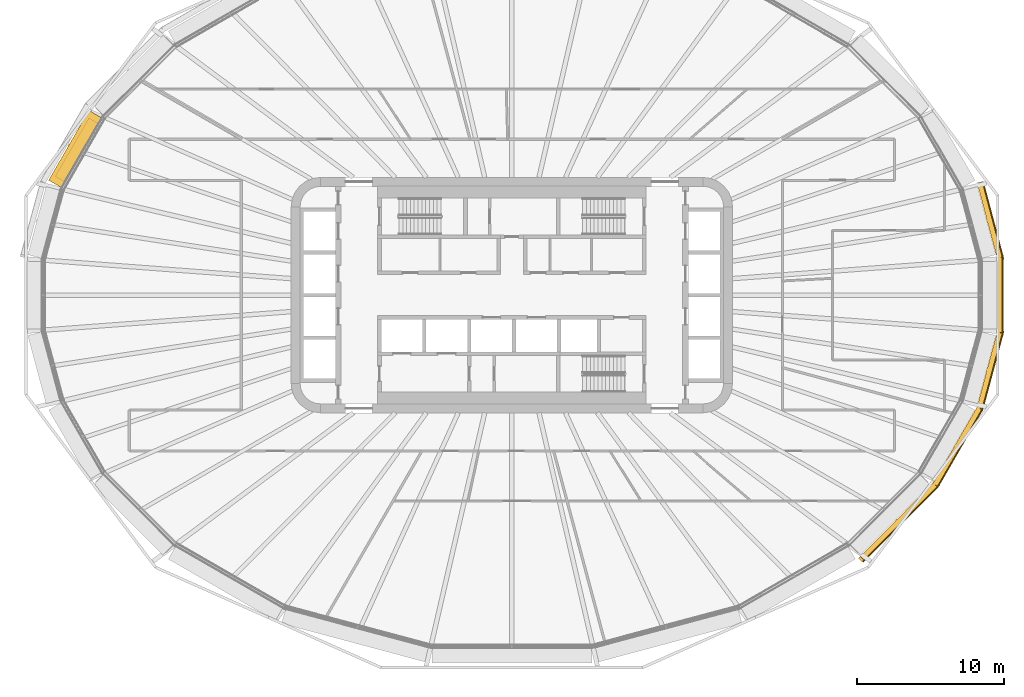
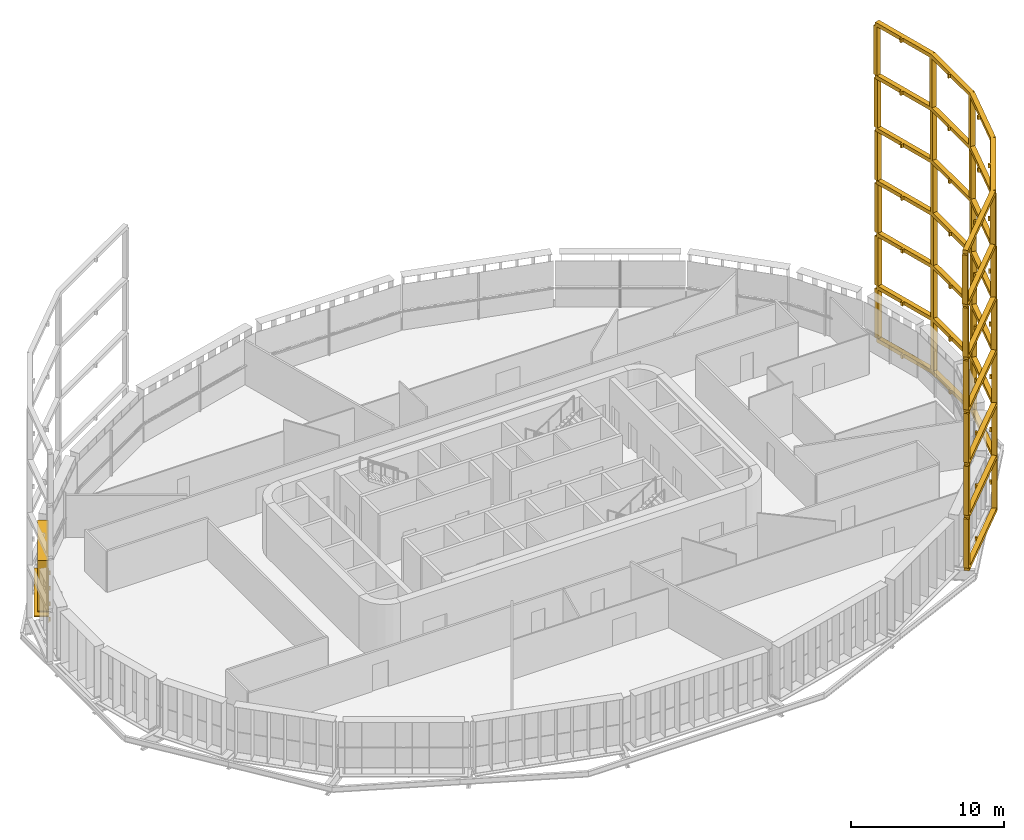
# One storey, part 24 of 26: 3 shading devices.
"""IFC4 building model written with IfcOpenShell, lengths in metres."""

from ifc_helpers import new_model, si_unit, direction, frame, origin, origin_2d, place, context, subcontext, project, spatial, polyline, rectangle, outline, extrude, material, type_object, element, save


model = new_model("IFC4")

# Units and contexts
model_context = context("Model", 3, precision=1e-05, world=origin(), true_north=direction((0.0, 1.0)))
body_context = subcontext(model_context, "Body", "Model", "MODEL_VIEW")
ifc_project = project(units=[si_unit("LENGTHUNIT", "METRE"), si_unit("AREAUNIT", "SQUARE_METRE"), si_unit("VOLUMEUNIT", "CUBIC_METRE"), si_unit("PLANEANGLEUNIT", "RADIAN"), si_unit("MASSUNIT", "GRAM", prefix="KILO")], contexts=[model_context])

# Site, building, storey
site_placement = place(None, origin())
site = spatial("IfcSite", under=ifc_project, at=site_placement, CompositionType="ELEMENT")
building_placement = place(site_placement, origin())
building = spatial("IfcBuilding", under=site, at=building_placement, Name="Sahrelin Media Tower", CompositionType="ELEMENT")
storey_placement = place(building_placement, frame((0.0, 0.0, 102.0)))
storey = spatial("IfcBuildingStorey", under=building, at=storey_placement, Name="L19", CompositionType="ELEMENT", Elevation=102.0)

# Shading devices
ifc_material_1 = material(Name="Dark bronze anodised aluminium 6063-T6", Category="aluminium")
shading_device_type_1 = type_object("IfcShadingDeviceType", Name="Deep frame", PredefinedType="USERDEFINED", material=ifc_material_1)
shading_device_1_placement = place(storey_placement, frame((22.931396484375, -17.01025390625, 0.0), z_axis=(0.0, 0.0, 1.0), x_axis=(-0.707106781187, -0.707106781187, 0.0)))
element("IfcShadingDevice", 1, at=shading_device_1_placement, inside=storey, type_object=shading_device_type_1, Name="L19:FRAME:F2-5", ObjectType="FRAME", PredefinedType="USERDEFINED", context=body_context, shape_type="SweptSolid", body=[
    extrude(rectangle(XDim=0.300048828125, YDim=0.35009765625, at=origin_2d()), frame((0.0, 1.324951171875, 0.14990234375), z_axis=(0.0, 0.0, 1.0), x_axis=(-1.0, 0.0, 0.0)), (0.0, 0.0, 1.0), 3.900146484375),
    extrude(rectangle(XDim=0.300048828125, YDim=0.35009765625, at=origin_2d()), frame((-7.07421875, 1.313720703125, 0.14990234375), z_axis=(0.0, 0.0, 1.0), x_axis=(-0.991436202368, -0.130591947046, 0.0)), (0.0, 0.0, 1.0), 3.900146484375),
    extrude(rectangle(XDim=0.300048828125, YDim=0.35009765625, at=origin_2d()), frame((-12.89599609375, -0.24609375, 0.14990234375), z_axis=(0.0, 0.0, 1.0), x_axis=(-0.923876860854, -0.382689882252, 0.0)), (0.0, 0.0, 1.0), 3.900146484375),
    extrude(rectangle(XDim=0.300048828125, YDim=0.35009765625, at=origin_2d()), frame((-17.519775390625, -2.915771484375, 0.14990234375), z_axis=(0.0, 0.0, 1.0), x_axis=(-0.793315089117, -0.608811275668, 0.0)), (0.0, 0.0, 1.0), 3.900146484375),
    extrude(rectangle(XDim=0.300048828125, YDim=0.35009765625, at=origin_2d()), frame((-21.140380859375, -6.536376953125, 0.14990234375), z_axis=(0.0, 0.0, 1.0), x_axis=(-0.608700502051, -0.793400087474, 0.0)), (0.0, 0.0, 1.0), 3.900146484375),
    extrude(rectangle(XDim=0.300048828125, YDim=0.35009765625, at=origin_2d()), frame((-23.7333984375, -11.0048828125, 0.14990234375), z_axis=(0.0, 0.0, 1.0), x_axis=(-0.500010580459, -0.866019295067, 0.0)), (0.0, 0.0, 1.0), 3.900146484375),
    extrude(outline(polyline([(-7.07470703125, 1.48876953125), (-7.07421875, 1.313720703125), (-7.11962890625, 1.482666015625), (-12.94140625, -0.0771484375), (-12.89599609375, -0.24609375), (-12.9833984375, -0.0947265625), (-17.607421875, -2.764404296875), (-17.519775390625, -2.915771484375), (-17.6435546875, -2.7919921875), (-21.26416015625, -6.41259765625), (-21.140380859375, -6.536376953125), (-21.291748046875, -6.448486328125), (-23.884765625, -10.9169921875), (-23.58203125, -11.092529296875), (-22.3662109375, -8.997802734375), (-22.215087890625, -9.085205078125), (-22.14013671875, -8.955078125), (-22.291015625, -8.867919921875), (-21.00048828125, -6.64404296875), (-19.259521484375, -4.90283203125), (-19.14013671875, -5.022216796875), (-19.033935546875, -4.916015625), (-19.1533203125, -4.796875), (-17.412353515625, -3.055908203125), (-15.185302734375, -1.77001953125), (-15.10107421875, -1.916015625), (-14.97119140625, -1.841064453125), (-15.055419921875, -1.695068359375), (-12.828369140625, -0.4091796875), (-10.01220703125, 0.34521484375), (-9.968505859375, 0.182373046875), (-9.82373046875, 0.22119140625), (-9.867431640625, 0.384033203125), (-7.051025390625, 1.138671875), (-3.525634765625, 1.144287109375), (-3.525634765625, 0.969970703125), (-3.375732421875, 0.969970703125), (-3.375732421875, 1.14453125), (0.000244140625, 1.14990234375), (-0.000244140625, 1.5), (-7.07470703125, 1.48876953125)])), frame((0.0, 0.0, -0.14990234375)), (0.0, 0.0, 1.0), 0.2998046875),
    extrude(rectangle(XDim=0.300048828125, YDim=0.35009765625, at=origin_2d()), frame((0.0, 1.324951171875, 4.35009765625), z_axis=(0.0, 0.0, 1.0), x_axis=(-1.0, 0.0, 0.0)), (0.0, 0.0, 1.0), 3.89990234375),
    extrude(rectangle(XDim=0.300048828125, YDim=0.35009765625, at=origin_2d()), frame((-7.07421875, 1.313720703125, 4.35009765625), z_axis=(0.0, 0.0, 1.0), x_axis=(-0.991436202368, -0.130591947046, 0.0)), (0.0, 0.0, 1.0), 3.89990234375),
    extrude(rectangle(XDim=0.300048828125, YDim=0.35009765625, at=origin_2d()), frame((-12.89599609375, -0.24609375, 4.35009765625), z_axis=(0.0, 0.0, 1.0), x_axis=(-0.923876860854, -0.382689882252, 0.0)), (0.0, 0.0, 1.0), 3.89990234375),
    extrude(rectangle(XDim=0.300048828125, YDim=0.35009765625, at=origin_2d()), frame((-17.519775390625, -2.915771484375, 4.35009765625), z_axis=(0.0, 0.0, 1.0), x_axis=(-0.793315089117, -0.608811275668, 0.0)), (0.0, 0.0, 1.0), 3.89990234375),
    extrude(rectangle(XDim=0.300048828125, YDim=0.35009765625, at=origin_2d()), frame((-21.140380859375, -6.536376953125, 4.35009765625), z_axis=(0.0, 0.0, 1.0), x_axis=(-0.608700502051, -0.793400087474, 0.0)), (0.0, 0.0, 1.0), 3.89990234375),
    extrude(rectangle(XDim=0.300048828125, YDim=0.35009765625, at=origin_2d()), frame((-23.7333984375, -11.0048828125, 4.35009765625), z_axis=(0.0, 0.0, 1.0), x_axis=(-0.500010580459, -0.866019295067, 0.0)), (0.0, 0.0, 1.0), 3.89990234375),
    extrude(outline(polyline([(-7.07470703125, 1.48876953125), (-7.07421875, 1.313720703125), (-7.11962890625, 1.482666015625), (-12.94140625, -0.0771484375), (-12.89599609375, -0.24609375), (-12.9833984375, -0.0947265625), (-17.607421875, -2.764404296875), (-17.519775390625, -2.915771484375), (-17.6435546875, -2.7919921875), (-21.26416015625, -6.41259765625), (-21.140380859375, -6.536376953125), (-21.291748046875, -6.448486328125), (-23.884765625, -10.9169921875), (-23.58203125, -11.092529296875), (-22.3662109375, -8.997802734375), (-22.215087890625, -9.085205078125), (-22.14013671875, -8.955078125), (-22.291015625, -8.867919921875), (-21.00048828125, -6.64404296875), (-19.259521484375, -4.90283203125), (-19.14013671875, -5.022216796875), (-19.033935546875, -4.916015625), (-19.1533203125, -4.796875), (-17.412353515625, -3.055908203125), (-15.185302734375, -1.77001953125), (-15.10107421875, -1.916015625), (-14.97119140625, -1.841064453125), (-15.055419921875, -1.695068359375), (-12.828369140625, -0.4091796875), (-10.01220703125, 0.34521484375), (-9.968505859375, 0.182373046875), (-9.82373046875, 0.22119140625), (-9.867431640625, 0.384033203125), (-7.051025390625, 1.138671875), (-3.525634765625, 1.144287109375), (-3.525634765625, 0.969970703125), (-3.375732421875, 0.969970703125), (-3.375732421875, 1.14453125), (0.000244140625, 1.14990234375), (-0.000244140625, 1.5), (-7.07470703125, 1.48876953125)])), frame((0.0, 0.0, 4.050048828125)), (0.0, 0.0, 1.0), 0.300048828125),
    extrude(rectangle(XDim=0.300048828125, YDim=0.35009765625, at=origin_2d()), frame((0.0, 1.324951171875, 8.550048828125), z_axis=(0.0, 0.0, 1.0), x_axis=(-1.0, 0.0, 0.0)), (0.0, 0.0, 1.0), 3.89990234375),
    extrude(rectangle(XDim=0.300048828125, YDim=0.35009765625, at=origin_2d()), frame((-7.07421875, 1.313720703125, 8.550048828125), z_axis=(0.0, 0.0, 1.0), x_axis=(-0.991436202368, -0.130591947046, 0.0)), (0.0, 0.0, 1.0), 3.89990234375),
    extrude(rectangle(XDim=0.300048828125, YDim=0.35009765625, at=origin_2d()), frame((-12.89599609375, -0.24609375, 8.550048828125), z_axis=(0.0, 0.0, 1.0), x_axis=(-0.923876860854, -0.382689882252, 0.0)), (0.0, 0.0, 1.0), 3.89990234375),
    extrude(rectangle(XDim=0.300048828125, YDim=0.35009765625, at=origin_2d()), frame((-17.519775390625, -2.915771484375, 8.550048828125), z_axis=(0.0, 0.0, 1.0), x_axis=(-0.793315089117, -0.608811275668, 0.0)), (0.0, 0.0, 1.0), 3.89990234375),
    extrude(rectangle(XDim=0.300048828125, YDim=0.35009765625, at=origin_2d()), frame((-21.140380859375, -6.536376953125, 8.550048828125), z_axis=(0.0, 0.0, 1.0), x_axis=(-0.608700502051, -0.793400087474, 0.0)), (0.0, 0.0, 1.0), 3.89990234375),
    extrude(rectangle(XDim=0.300048828125, YDim=0.35009765625, at=origin_2d()), frame((-23.7333984375, -11.0048828125, 8.550048828125), z_axis=(0.0, 0.0, 1.0), x_axis=(-0.500010580459, -0.866019295067, 0.0)), (0.0, 0.0, 1.0), 3.89990234375),
    extrude(outline(polyline([(-7.07470703125, 1.48876953125), (-7.07421875, 1.313720703125), (-7.11962890625, 1.482666015625), (-12.94140625, -0.0771484375), (-12.89599609375, -0.24609375), (-12.9833984375, -0.0947265625), (-17.607421875, -2.764404296875), (-17.519775390625, -2.915771484375), (-17.6435546875, -2.7919921875), (-21.26416015625, -6.41259765625), (-21.140380859375, -6.536376953125), (-21.291748046875, -6.448486328125), (-23.884765625, -10.9169921875), (-23.58203125, -11.092529296875), (-22.3662109375, -8.997802734375), (-22.215087890625, -9.085205078125), (-22.14013671875, -8.955078125), (-22.291015625, -8.867919921875), (-21.00048828125, -6.64404296875), (-19.259521484375, -4.90283203125), (-19.14013671875, -5.022216796875), (-19.033935546875, -4.916015625), (-19.1533203125, -4.796875), (-17.412353515625, -3.055908203125), (-15.185302734375, -1.77001953125), (-15.10107421875, -1.916015625), (-14.97119140625, -1.841064453125), (-15.055419921875, -1.695068359375), (-12.828369140625, -0.4091796875), (-10.01220703125, 0.34521484375), (-9.968505859375, 0.182373046875), (-9.82373046875, 0.22119140625), (-9.867431640625, 0.384033203125), (-7.051025390625, 1.138671875), (-3.525634765625, 1.144287109375), (-3.525634765625, 0.969970703125), (-3.375732421875, 0.969970703125), (-3.375732421875, 1.14453125), (0.000244140625, 1.14990234375), (-0.000244140625, 1.5), (-7.07470703125, 1.48876953125)])), frame((0.0, 0.0, 8.25)), (0.0, 0.0, 1.0), 0.300048828125),
    extrude(rectangle(XDim=0.300048828125, YDim=0.35009765625, at=origin_2d()), frame((0.003173828125, 1.299560546875, 12.75), z_axis=(0.0, 0.0, 1.0), x_axis=(-1.0, 0.0, 0.0)), (0.0, 0.0, 1.0), 3.89990234375),
    extrude(rectangle(XDim=0.300048828125, YDim=0.35009765625, at=origin_2d()), frame((-7.064697265625, 1.2880859375, 12.75), z_axis=(0.0, 0.0, 1.0), x_axis=(-0.991449189241, -0.130493314592, 0.0)), (0.0, 0.0, 1.0), 3.89990234375),
    extrude(rectangle(XDim=0.300048828125, YDim=0.35009765625, at=origin_2d()), frame((-12.88134765625, -0.2705078125, 12.75), z_axis=(0.0, 0.0, 1.0), x_axis=(-0.923876860854, -0.382689882252, 0.0)), (0.0, 0.0, 1.0), 3.89990234375),
    extrude(rectangle(XDim=0.300048828125, YDim=0.35009765625, at=origin_2d()), frame((-17.501220703125, -2.9375, 12.75), z_axis=(0.0, 0.0, 1.0), x_axis=(-0.793315089117, -0.608811275668, 0.0)), (0.0, 0.0, 1.0), 3.89990234375),
    extrude(rectangle(XDim=0.300048828125, YDim=0.35009765625, at=origin_2d()), frame((-21.11865234375, -6.554931640625, 12.75), z_axis=(0.0, 0.0, 1.0), x_axis=(-0.608700502051, -0.793400087474, 0.0)), (0.0, 0.0, 1.0), 3.89990234375),
    extrude(rectangle(XDim=0.300048828125, YDim=0.35009765625, at=origin_2d()), frame((-23.709228515625, -11.019287109375, 12.75), z_axis=(0.0, 0.0, 1.0), x_axis=(-0.499892679699, -0.866087356323, 0.0)), (0.0, 0.0, 1.0), 3.89990234375),
    extrude(outline(polyline([(-7.065185546875, 1.463134765625), (-7.064697265625, 1.2880859375), (-7.110107421875, 1.457275390625), (-12.9267578125, -0.101318359375), (-12.88134765625, -0.2705078125), (-12.968994140625, -0.118896484375), (-17.588623046875, -2.785888671875), (-17.501220703125, -2.9375), (-17.625, -2.813720703125), (-21.242431640625, -6.431396484375), (-21.11865234375, -6.554931640625), (-21.27001953125, -6.46728515625), (-23.860595703125, -10.931396484375), (-23.557861328125, -11.107177734375), (-22.343505859375, -9.014404296875), (-22.192138671875, -9.101806640625), (-22.1171875, -8.9716796875), (-22.26806640625, -8.884521484375), (-20.978759765625, -6.66259765625), (-19.2392578125, -4.923095703125), (-19.1201171875, -5.042236328125), (-19.013916015625, -4.936279296875), (-19.13330078125, -4.81689453125), (-17.393798828125, -3.07763671875), (-15.168701171875, -1.79296875), (-15.08447265625, -1.939208984375), (-14.95458984375, -1.864013671875), (-15.038818359375, -1.718017578125), (-12.81396484375, -0.43359375), (-10.000244140625, 0.320556640625), (-9.95654296875, 0.157470703125), (-9.811767578125, 0.1962890625), (-9.85546875, 0.359375), (-7.041748046875, 1.11328125), (-3.519287109375, 1.118896484375), (-3.519287109375, 0.944580078125), (-3.369384765625, 0.944580078125), (-3.369384765625, 1.119140625), (0.00341796875, 1.12451171875), (0.0029296875, 1.474609375), (-7.065185546875, 1.463134765625)])), frame((0.0, 0.0, 12.449951171875)), (0.0, 0.0, 1.0), 0.300048828125),
    extrude(rectangle(XDim=0.300048828125, YDim=0.35009765625, at=origin_2d()), frame((0.0068359375, 1.26904296875, 16.949951171875), z_axis=(0.0, 0.0, 1.0), x_axis=(-1.0, 0.0, 0.0)), (0.0, 0.0, 1.0), 3.900146484375),
    extrude(rectangle(XDim=0.300048828125, YDim=0.35009765625, at=origin_2d()), frame((-7.053466796875, 1.2578125, 16.949951171875), z_axis=(0.0, 0.0, 1.0), x_axis=(-0.991449189241, -0.130493314592, 0.0)), (0.0, 0.0, 1.0), 3.900146484375),
    extrude(rectangle(XDim=0.300048828125, YDim=0.35009765625, at=origin_2d()), frame((-12.864013671875, -0.299072265625, 16.949951171875), z_axis=(0.0, 0.0, 1.0), x_axis=(-0.923876860854, -0.382689882252, 0.0)), (0.0, 0.0, 1.0), 3.900146484375),
    extrude(rectangle(XDim=0.300048828125, YDim=0.35009765625, at=origin_2d()), frame((-17.47900390625, -2.96337890625, 16.949951171875), z_axis=(0.0, 0.0, 1.0), x_axis=(-0.793315089117, -0.608811275668, 0.0)), (0.0, 0.0, 1.0), 3.900146484375),
    extrude(rectangle(XDim=0.300048828125, YDim=0.35009765625, at=origin_2d()), frame((-21.0927734375, -6.5771484375, 16.949951171875), z_axis=(0.0, 0.0, 1.0), x_axis=(-0.608700502051, -0.793400087474, 0.0)), (0.0, 0.0, 1.0), 3.900146484375),
    extrude(rectangle(XDim=0.300048828125, YDim=0.35009765625, at=origin_2d()), frame((-23.680419921875, -11.03662109375, 16.949951171875), z_axis=(0.0, 0.0, 1.0), x_axis=(-0.499968258175, -0.86604372916, 0.0)), (0.0, 0.0, 1.0), 3.900146484375),
    extrude(outline(polyline([(-7.0537109375, 1.432861328125), (-7.053466796875, 1.2578125), (-7.098876953125, 1.4267578125), (-12.9091796875, -0.130126953125), (-12.864013671875, -0.299072265625), (-12.951416015625, -0.147705078125), (-17.56640625, -2.81201171875), (-17.47900390625, -2.96337890625), (-17.602783203125, -2.83984375), (-21.21630859375, -6.45361328125), (-21.0927734375, -6.5771484375), (-21.243896484375, -6.489501953125), (-23.831787109375, -10.948974609375), (-23.529052734375, -11.12451171875), (-22.31591796875, -9.0341796875), (-22.164794921875, -9.12158203125), (-22.089599609375, -8.99169921875), (-22.24072265625, -8.904296875), (-20.952880859375, -6.684814453125), (-19.215087890625, -4.947265625), (-19.095703125, -5.06640625), (-18.98974609375, -4.96044921875), (-19.10888671875, -4.841064453125), (-17.37158203125, -3.103515625), (-15.14892578125, -1.8203125), (-15.064697265625, -1.96630859375), (-14.934814453125, -1.891357421875), (-15.01904296875, -1.745361328125), (-12.79638671875, -0.462158203125), (-9.98583984375, 0.291015625), (-9.9423828125, 0.1279296875), (-9.79736328125, 0.166748046875), (-9.841064453125, 0.32958984375), (-7.0302734375, 1.082763671875), (-3.51171875, 1.08837890625), (-3.51171875, 0.9140625), (-3.36181640625, 0.9140625), (-3.36181640625, 1.088623046875), (0.007080078125, 1.093994140625), (0.006591796875, 1.444091796875), (-7.0537109375, 1.432861328125)])), frame((0.0, 0.0, 16.64990234375)), (0.0, 0.0, 1.0), 0.300048828125),
    extrude(rectangle(XDim=0.300048828125, YDim=0.35009765625, at=origin_2d()), frame((0.01123046875, 1.234130859375, 21.14990234375), z_axis=(0.0, 0.0, 1.0), x_axis=(-1.0, 0.0, 0.0)), (0.0, 0.0, 1.0), 3.900146484375),
    extrude(rectangle(XDim=0.300048828125, YDim=0.35009765625, at=origin_2d()), frame((-7.040283203125, 1.222900390625, 21.14990234375), z_axis=(0.0, 0.0, 1.0), x_axis=(-0.991449189241, -0.130493314592, 0.0)), (0.0, 0.0, 1.0), 3.900146484375),
    extrude(rectangle(XDim=0.300048828125, YDim=0.35009765625, at=origin_2d()), frame((-12.843994140625, -0.332275390625, 21.14990234375), z_axis=(0.0, 0.0, 1.0), x_axis=(-0.923876860854, -0.382689882252, 0.0)), (0.0, 0.0, 1.0), 3.900146484375),
    extrude(rectangle(XDim=0.300048828125, YDim=0.35009765625, at=origin_2d()), frame((-17.453369140625, -2.993408203125, 21.14990234375), z_axis=(0.0, 0.0, 1.0), x_axis=(-0.793315089117, -0.608811275668, 0.0)), (0.0, 0.0, 1.0), 3.900146484375),
    extrude(rectangle(XDim=0.300048828125, YDim=0.35009765625, at=origin_2d()), frame((-21.062744140625, -6.602783203125, 21.14990234375), z_axis=(0.0, 0.0, 1.0), x_axis=(-0.608700502051, -0.793400087474, 0.0)), (0.0, 0.0, 1.0), 3.900146484375),
    extrude(rectangle(XDim=0.300048828125, YDim=0.35009765625, at=origin_2d()), frame((-23.647216796875, -11.056640625, 21.14990234375), z_axis=(0.0, 0.0, 1.0), x_axis=(-0.500010580459, -0.866019295067, 0.0)), (0.0, 0.0, 1.0), 3.900146484375),
    extrude(outline(polyline([(-7.040771484375, 1.397705078125), (-7.040283203125, 1.222900390625), (-7.085693359375, 1.391845703125), (-12.889404296875, -0.1630859375), (-12.843994140625, -0.332275390625), (-12.931396484375, -0.1806640625), (-17.541015625, -2.842041015625), (-17.453369140625, -2.993408203125), (-17.5771484375, -2.869873046875), (-21.186279296875, -6.47900390625), (-21.062744140625, -6.602783203125), (-21.214111328125, -6.514892578125), (-23.798583984375, -10.968994140625), (-23.495849609375, -11.14453125), (-22.284423828125, -9.056884765625), (-22.13330078125, -9.144287109375), (-22.05810546875, -9.014404296875), (-22.209228515625, -8.92724609375), (-20.9228515625, -6.71044921875), (-19.187255859375, -4.974853515625), (-19.068115234375, -5.09423828125), (-18.9619140625, -4.988037109375), (-19.081298828125, -4.868896484375), (-17.345947265625, -3.133544921875), (-15.126220703125, -1.85205078125), (-15.041748046875, -1.998046875), (-14.911865234375, -1.923095703125), (-14.996337890625, -1.777099609375), (-12.776611328125, -0.495361328125), (-9.969482421875, 0.2568359375), (-9.92578125, 0.093994140625), (-9.78076171875, 0.1328125), (-9.824462890625, 0.295654296875), (-7.017333984375, 1.0478515625), (-3.503173828125, 1.053466796875), (-3.503173828125, 0.879150390625), (-3.35302734375, 0.879150390625), (-3.35302734375, 1.0537109375), (0.011474609375, 1.05908203125), (0.010986328125, 1.4091796875), (-7.040771484375, 1.397705078125)])), frame((0.0, 0.0, 20.85009765625)), (0.0, 0.0, 1.0), 0.2998046875),
    extrude(outline(polyline([(-7.040771484375, 1.397705078125), (-7.040283203125, 1.222900390625), (-7.085693359375, 1.391845703125), (-12.889404296875, -0.1630859375), (-12.843994140625, -0.332275390625), (-12.931396484375, -0.1806640625), (-17.541015625, -2.842041015625), (-17.453369140625, -2.993408203125), (-17.5771484375, -2.869873046875), (-21.186279296875, -6.47900390625), (-21.062744140625, -6.602783203125), (-21.214111328125, -6.514892578125), (-23.798583984375, -10.968994140625), (-23.495849609375, -11.14453125), (-22.284423828125, -9.056884765625), (-22.13330078125, -9.144287109375), (-22.05810546875, -9.014404296875), (-22.209228515625, -8.92724609375), (-20.9228515625, -6.71044921875), (-19.187255859375, -4.974853515625), (-19.068115234375, -5.09423828125), (-18.9619140625, -4.988037109375), (-19.081298828125, -4.868896484375), (-17.345947265625, -3.133544921875), (-15.126220703125, -1.85205078125), (-15.041748046875, -1.998046875), (-14.911865234375, -1.923095703125), (-14.996337890625, -1.777099609375), (-12.776611328125, -0.495361328125), (-9.969482421875, 0.2568359375), (-9.92578125, 0.093994140625), (-9.78076171875, 0.1328125), (-9.824462890625, 0.295654296875), (-7.017333984375, 1.0478515625), (-3.503173828125, 1.053466796875), (-3.503173828125, 0.879150390625), (-3.35302734375, 0.879150390625), (-3.35302734375, 1.0537109375), (0.011474609375, 1.05908203125), (0.010986328125, 1.4091796875), (-7.040771484375, 1.397705078125)])), frame((0.0, 0.0, 25.050048828125)), (0.0, 0.0, 1.0), 0.300048828125),
])
ifc_material_2 = material(Name="Champagne anodised aluminium 6063-T6", Category="aluminium")
shading_device_type_2 = type_object("IfcShadingDeviceType", Name="Fin cassette", PredefinedType="USERDEFINED", material=ifc_material_2)
placement = place(storey_placement, frame((-29.231689453125, 9.67041015625, 0.0), z_axis=(0.0, 0.0, 1.0), x_axis=(0.500011000363, 0.866019052629, 0.0)))
element("IfcShadingDevice", 2, at=placement, inside=storey, type_object=shading_device_type_2, Name="L19:FIN:L19-10", ObjectType="FIN", PredefinedType="USERDEFINED", context=body_context, shape_type="SweptSolid", body=[
    extrude(rectangle(XDim=4.60009765625, YDim=0.699951171875, at=origin_2d()), frame((0.0, 0.419921875, 0.0)), (0.0, 0.0, 1.0), 0.02001953125),
    extrude(rectangle(XDim=4.60009765625, YDim=0.699951171875, at=origin_2d()), frame((0.0, 0.419921875, 4.10009765625)), (0.0, 0.0, 1.0), 0.02001953125),
    extrude(rectangle(XDim=0.02001953125, YDim=0.699951171875, at=origin_2d()), frame((-2.199951171875, 0.419921875, 0.010009765625), z_axis=(0.0, 0.0, 1.0), x_axis=(1.0, 0.0, 0.0)), (0.0, 0.0, 1.0), 4.10009765625),
    extrude(rectangle(XDim=0.02001953125, YDim=0.699951171875, at=origin_2d()), frame((-1.10009765625, 0.419921875, 0.010009765625), z_axis=(0.0, 0.0, 1.0), x_axis=(1.0, 0.0, 0.0)), (0.0, 0.0, 1.0), 4.10009765625),
    extrude(rectangle(XDim=0.02001953125, YDim=0.699951171875, at=origin_2d()), frame((0.0, 0.419921875, 0.010009765625), z_axis=(0.0, 0.0, 1.0), x_axis=(1.0, 0.0, 0.0)), (0.0, 0.0, 1.0), 4.10009765625),
    extrude(rectangle(XDim=0.02001953125, YDim=0.699951171875, at=origin_2d()), frame((1.10009765625, 0.419921875, 0.010009765625), z_axis=(0.0, 0.0, 1.0), x_axis=(1.0, 0.0, 0.0)), (0.0, 0.0, 1.0), 4.10009765625),
    extrude(rectangle(XDim=0.02001953125, YDim=0.699951171875, at=origin_2d()), frame((2.199951171875, 0.419921875, 0.010009765625), z_axis=(0.0, 0.0, 1.0), x_axis=(1.0, 0.0, 0.0)), (0.0, 0.0, 1.0), 4.10009765625),
])
shading_device_type_3 = type_object("IfcShadingDeviceType", Name="Sunshade band", PredefinedType="USERDEFINED", material=ifc_material_2)
element("IfcShadingDevice", 3, at=placement, inside=storey, type_object=shading_device_type_3, Name="L19:SUN:L19-10", ObjectType="SUNSHADE", PredefinedType="USERDEFINED", context=body_context, shape_type="SweptSolid", body=[
    extrude(rectangle(XDim=5.481201171875, YDim=0.050048828125, at=origin_2d()), frame((0.0, 0.044921875, -0.55126953125)), (0.0, 0.0, 1.0), 0.471435546875),
    extrude(rectangle(XDim=5.481201171875, YDim=1.0, at=origin_2d()), frame((0.0, 0.52001953125, -0.080078125)), (0.0, 0.0, 1.0), 0.080078125),
    extrude(rectangle(XDim=0.10009765625, YDim=0.074951171875, at=origin_2d()), frame((-2.640625, -0.017578125, -0.47021484375)), (0.0, 0.0, 1.0), 0.300048828125),
    extrude(rectangle(XDim=0.10009765625, YDim=0.074951171875, at=origin_2d()), frame((-0.880126953125, -0.017578125, -0.47021484375)), (0.0, 0.0, 1.0), 0.300048828125),
    extrude(rectangle(XDim=0.10009765625, YDim=0.074951171875, at=origin_2d()), frame((0.880126953125, -0.017578125, -0.47021484375)), (0.0, 0.0, 1.0), 0.300048828125),
    extrude(rectangle(XDim=0.10009765625, YDim=0.074951171875, at=origin_2d()), frame((2.640625, -0.017578125, -0.47021484375)), (0.0, 0.0, 1.0), 0.300048828125),
])

save(model, "model.ifc")
